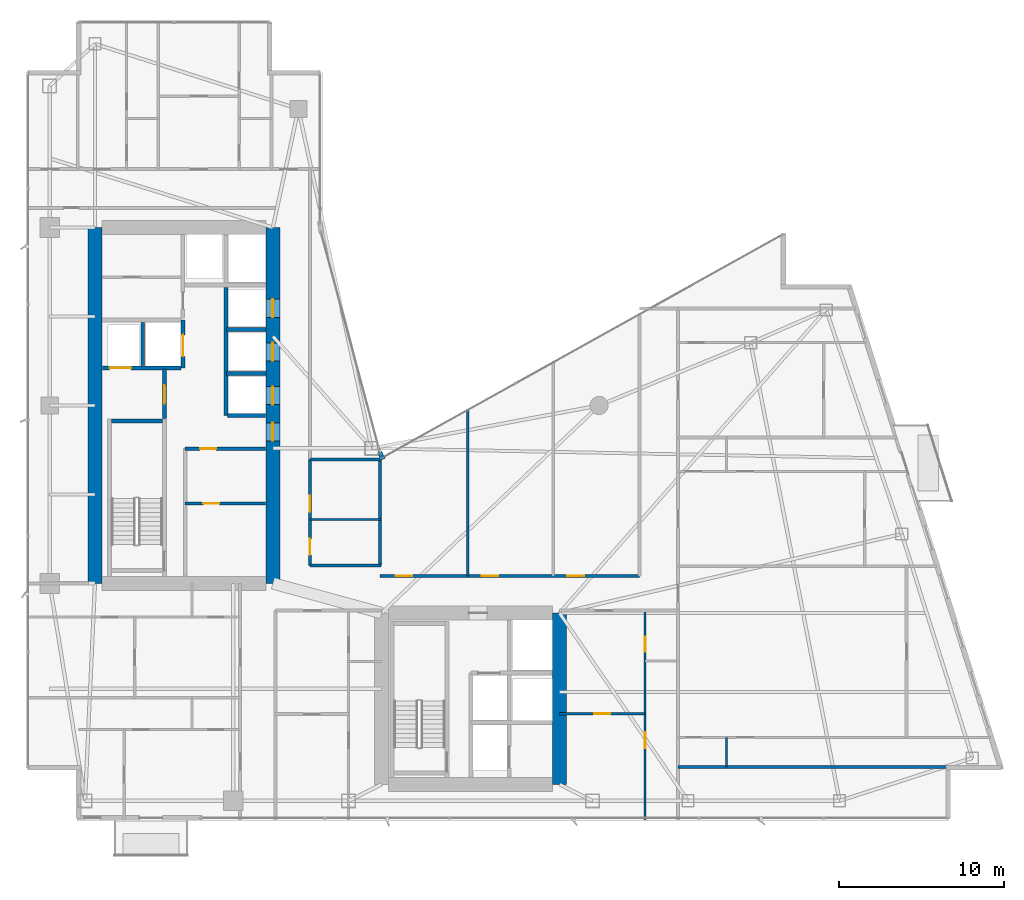
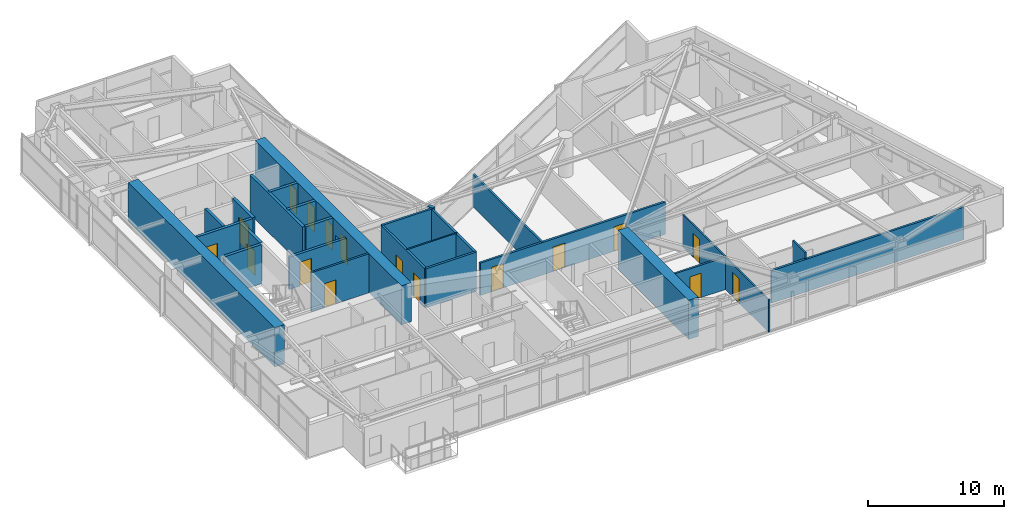
# One storey, part 23 of 28: 26 walls, 17 doors, 17 openings.
"""IFC4 building model written with IfcOpenShell, lengths in metres."""

from ifc_helpers import new_model, si_unit, direction, frame, frame_2d, origin, place, context, subcontext, project, spatial, rectangle, extrude, material, layer, layer_set, type_object, element, fill, save


model = new_model("IFC4")

# Units and contexts
model_context = context("Model", 3, precision=1e-05, world=origin(), true_north=direction((0.0, 1.0)))
body_context = subcontext(model_context, "Body", "Model", "MODEL_VIEW")
ifc_project = project(units=[si_unit("LENGTHUNIT", "METRE"), si_unit("AREAUNIT", "SQUARE_METRE"), si_unit("VOLUMEUNIT", "CUBIC_METRE"), si_unit("PLANEANGLEUNIT", "RADIAN"), si_unit("MASSUNIT", "GRAM", prefix="KILO")], contexts=[model_context])

# Site, building, storey
site_placement = place(None, origin())
site = spatial("IfcSite", under=ifc_project, at=site_placement, CompositionType="ELEMENT")
building_placement = place(site_placement, origin())
building = spatial("IfcBuilding", under=site, at=building_placement, Name="Calvorn Quay Hotel", CompositionType="ELEMENT")
storey_placement = place(building_placement, frame((0.0, 0.0, 182.699951171875)))
storey = spatial("IfcBuildingStorey", under=building, at=storey_placement, Name="L45", CompositionType="ELEMENT", Elevation=182.699951171875)

# Wall
ifc_material_1 = material(Name="Concrete C50", Category="concrete")
ifc_layer_1 = layer(ifc_material_1, 0.85009765625)
ifc_layer_set_1 = layer_set([ifc_layer_1], Name="WL-CORE-850")
wall_type_1 = type_object("IfcWallType", Name="WL-CORE-850", PredefinedType="SHEAR", material=ifc_layer_set_1)
wall_1_placement = place(storey_placement, frame((4.199951171875, 16.800048828125, 0.0), z_axis=(0.0, 0.0, 1.0), x_axis=(0.0, 1.0, 0.0)))
element("IfcWall", 1, at=wall_1_placement, inside=storey, type_object=wall_type_1, Name="West Core Shear Wall W (L45)", PredefinedType="SHEAR", context=body_context, shape_type="SweptSolid", body=[
    extrude(rectangle(XDim=21.599853515625, YDim=0.85009765625, at=frame_2d((10.7998046875, 0.0))), origin(), (0.0, 0.0, 1.0), 3.52001953125),
])

# Wall, openings, doors
wall_2_placement = place(storey_placement, frame((15.0, 16.800048828125, 0.0), z_axis=(0.0, 0.0, 1.0), x_axis=(0.0, 1.0, 0.0)))
wall_2 = element("IfcWall", 2, at=wall_2_placement, inside=storey, type_object=wall_type_1, Name="West Core Shear Wall E (L45)", PredefinedType="SHEAR", context=body_context, shape_type="SweptSolid", body=[
    extrude(rectangle(XDim=21.599853515625, YDim=0.85009765625, at=frame_2d((10.7998046875, 0.0))), origin(), (0.0, 0.0, 1.0), 3.52001953125),
])
opening_1_placement = place(wall_2_placement, frame((8.64990234375, 0.0, 0.0)))
opening_1 = element("IfcOpeningElement", 3, at=opening_1_placement, cuts=wall_2, Name="Opening D-L45-CW1", PredefinedType="OPENING", context=body_context, shape_type="SweptSolid", body=[
    extrude(rectangle(XDim=1.10009765625, YDim=2.199951171875, at=frame_2d((0.550048828125, 1.10009765625))), frame((0.0, 0.43505859375, 0.0), z_axis=(0.0, -1.0, 0.0), x_axis=(1.0, 0.0, 0.0)), (0.0, 0.0, 1.0), 0.8701171875),
])
opening_2_placement = place(wall_2_placement, frame((10.85009765625, 0.0, 0.0)))
opening_2 = element("IfcOpeningElement", 4, at=opening_2_placement, cuts=wall_2, Name="Opening LD-L45-M1", PredefinedType="OPENING", context=body_context, shape_type="SweptSolid", body=[
    extrude(rectangle(XDim=1.10009765625, YDim=2.199951171875, at=frame_2d((0.550048828125, 1.10009765625))), frame((0.0, 0.43505859375, 0.0), z_axis=(0.0, -1.0, 0.0), x_axis=(1.0, 0.0, 0.0)), (0.0, 0.0, 1.0), 0.8701171875),
])
opening_3_placement = place(wall_2_placement, frame((13.5, 0.0, 0.0)))
opening_3 = element("IfcOpeningElement", 5, at=opening_3_placement, cuts=wall_2, Name="Opening LD-L45-M2", PredefinedType="OPENING", context=body_context, shape_type="SweptSolid", body=[
    extrude(rectangle(XDim=1.10009765625, YDim=2.199951171875, at=frame_2d((0.550048828125, 1.10009765625))), frame((0.0, 0.43505859375, 0.0), z_axis=(0.0, -1.0, 0.0), x_axis=(1.0, 0.0, 0.0)), (0.0, 0.0, 1.0), 0.8701171875),
])
opening_4_placement = place(wall_2_placement, frame((16.14990234375, 0.0, 0.0)))
opening_4 = element("IfcOpeningElement", 6, at=opening_4_placement, cuts=wall_2, Name="Opening LD-L45-M3", PredefinedType="OPENING", context=body_context, shape_type="SweptSolid", body=[
    extrude(rectangle(XDim=1.10009765625, YDim=2.199951171875, at=frame_2d((0.550048828125, 1.10009765625))), frame((0.0, 0.43505859375, 0.0), z_axis=(0.0, -1.0, 0.0), x_axis=(1.0, 0.0, 0.0)), (0.0, 0.0, 1.0), 0.8701171875),
])
ifc_material_2 = material(Name="Smoke-Sealed Steel Class A Fire Door", Category="steel")
door_type_1 = type_object("IfcDoorType", Name="DR-FFLOBBY-1100", OperationType="NOTDEFINED", PredefinedType="DOOR", material=ifc_material_2)
door_1_placement = place(opening_1_placement, origin())
door_1 = element("IfcDoor", 7, at=door_1_placement, inside=storey, type_object=door_type_1, Name="West Core Vestibule Fire Door (L45)", OperationType="SINGLE_SWING_RIGHT", OverallHeight=2.199951171875, OverallWidth=1.10009765625, PredefinedType="DOOR", context=body_context, shape_type="SweptSolid", body=[
    extrude(rectangle(XDim=1.10009765625, YDim=2.199951171875, at=frame_2d((0.550048828125, 1.10009765625))), frame((0.0, 0.02490234375, 0.0), z_axis=(0.0, -1.0, 0.0), x_axis=(1.0, 0.0, 0.0)), (0.0, 0.0, 1.0), 0.050048828125),
])
fill(opening_1, door_1)
ifc_material_3 = material(Name="Brushed Stainless Steel Sliding Lift Landing Door", Category="steel")
door_type_2 = type_object("IfcDoorType", Name="DR-LIFT-PASS-1100", OperationType="NOTDEFINED", PredefinedType="DOOR", material=ifc_material_3)
door_2_placement = place(opening_2_placement, origin())
door_2 = element("IfcDoor", 8, at=door_2_placement, inside=storey, type_object=door_type_2, Name="Mid-Rise Lift PL-M1 Landing Door (L45)", OperationType="DOUBLE_DOOR_SLIDING", OverallHeight=2.199951171875, OverallWidth=1.10009765625, PredefinedType="DOOR", context=body_context, shape_type="SweptSolid", body=[
    extrude(rectangle(XDim=1.10009765625, YDim=2.199951171875, at=frame_2d((0.550048828125, 1.10009765625))), frame((0.0, 0.02490234375, 0.0), z_axis=(0.0, -1.0, 0.0), x_axis=(1.0, 0.0, 0.0)), (0.0, 0.0, 1.0), 0.050048828125),
])
fill(opening_2, door_2)
door_3_placement = place(opening_3_placement, origin())
door_3 = element("IfcDoor", 9, at=door_3_placement, inside=storey, type_object=door_type_2, Name="Mid-Rise Lift PL-M2 Landing Door (L45)", OperationType="DOUBLE_DOOR_SLIDING", OverallHeight=2.199951171875, OverallWidth=1.10009765625, PredefinedType="DOOR", context=body_context, shape_type="SweptSolid", body=[
    extrude(rectangle(XDim=1.10009765625, YDim=2.199951171875, at=frame_2d((0.550048828125, 1.10009765625))), frame((0.0, 0.02490234375, 0.0), z_axis=(0.0, -1.0, 0.0), x_axis=(1.0, 0.0, 0.0)), (0.0, 0.0, 1.0), 0.050048828125),
])
fill(opening_3, door_3)
door_4_placement = place(opening_4_placement, origin())
door_4 = element("IfcDoor", 10, at=door_4_placement, inside=storey, type_object=door_type_2, Name="Mid-Rise Lift PL-M3 Landing Door (L45)", OperationType="DOUBLE_DOOR_SLIDING", OverallHeight=2.199951171875, OverallWidth=1.10009765625, PredefinedType="DOOR", context=body_context, shape_type="SweptSolid", body=[
    extrude(rectangle(XDim=1.10009765625, YDim=2.199951171875, at=frame_2d((0.550048828125, 1.10009765625))), frame((0.0, 0.02490234375, 0.0), z_axis=(0.0, -1.0, 0.0), x_axis=(1.0, 0.0, 0.0)), (0.0, 0.0, 1.0), 0.050048828125),
])
fill(opening_4, door_4)

# Walls
wall_3_placement = place(storey_placement, frame((32.39990234375, 4.60009765625, 0.0), z_axis=(0.0, 0.0, 1.0), x_axis=(0.0, 1.0, 0.0)))
element("IfcWall", 11, at=wall_3_placement, inside=storey, type_object=wall_type_1, Name="East Core Shear Wall E (L45)", PredefinedType="SHEAR", context=body_context, shape_type="SweptSolid", body=[
    extrude(rectangle(XDim=10.39990234375, YDim=0.85009765625, at=frame_2d((5.199951171875, 0.0))), origin(), (0.0, 0.0, 1.0), 3.52001953125),
])
ifc_material_4 = material(Name="Acoustic Fireboard Steel-Stud Partition", Category="steel")
ifc_layer_2 = layer(ifc_material_4, 0.179931640625)
ifc_layer_set_2 = layer_set([ifc_layer_2], Name="WL-CORR-FIRE-180")
wall_type_2 = type_object("IfcWallType", Name="WL-CORR-FIRE-180", PredefinedType="PARTITIONING", material=ifc_layer_set_2)
wall_4_placement = place(storey_placement, frame((17.25, 17.8798828125, 0.0), z_axis=(0.0, 0.0, 1.0), x_axis=(1.0, 0.0, 0.0)))
element("IfcWall", 12, at=wall_4_placement, inside=storey, type_object=wall_type_2, Name="Partition Wall L45-WL-HK-S", PredefinedType="PARTITIONING", context=body_context, shape_type="SweptSolid", body=[
    extrude(rectangle(XDim=4.300048828125, YDim=0.179931640625, at=frame_2d((2.14990234375, 0.0))), origin(), (0.0, 0.0, 1.0), 3.52001953125),
])
wall_5_placement = place(storey_placement, frame((17.25, 24.320068359375, 0.0), z_axis=(0.0, 0.0, 1.0), x_axis=(1.0, 0.0, 0.0)))
element("IfcWall", 13, at=wall_5_placement, inside=storey, type_object=wall_type_2, Name="Partition Wall L45-WL-HK-N", PredefinedType="PARTITIONING", context=body_context, shape_type="SweptSolid", body=[
    extrude(rectangle(XDim=4.35009765625, YDim=0.179931640625, at=frame_2d((2.175048828125, 0.0))), origin(), (0.0, 0.0, 1.0), 3.52001953125),
])
wall_6_placement = place(storey_placement, frame((21.5, 17.8798828125, 0.0), z_axis=(0.0, 0.0, 1.0), x_axis=(0.0, 1.0, 0.0)))
element("IfcWall", 14, at=wall_6_placement, inside=storey, type_object=wall_type_2, Name="Partition Wall L45-WL-HK-E", PredefinedType="PARTITIONING", context=body_context, shape_type="SweptSolid", body=[
    extrude(rectangle(XDim=6.440185546875, YDim=0.179931640625, at=frame_2d((3.22021484375, 0.0))), origin(), (0.0, 0.0, 1.0), 3.52001953125),
])

# Wall, openings, doors
wall_7_placement = place(storey_placement, frame((17.25, 17.8798828125, 0.0), z_axis=(0.0, 0.0, 1.0), x_axis=(0.0, 1.0, 0.0)))
wall_7 = element("IfcWall", 15, at=wall_7_placement, inside=storey, type_object=wall_type_2, Name="Partition Wall L45-WL-HK-W", PredefinedType="PARTITIONING", context=body_context, shape_type="SweptSolid", body=[
    extrude(rectangle(XDim=6.440185546875, YDim=0.179931640625, at=frame_2d((3.22021484375, 0.0))), origin(), (0.0, 0.0, 1.0), 3.52001953125),
])
opening_5_placement = place(wall_7_placement, frame((0.64990234375, 0.0, 0.0)))
opening_5 = element("IfcOpeningElement", 16, at=opening_5_placement, cuts=wall_7, Name="Opening D-L45-HK", PredefinedType="OPENING", context=body_context, shape_type="SweptSolid", body=[
    extrude(rectangle(XDim=0.97998046875, YDim=2.14990234375, at=frame_2d((0.489990234375, 1.074951171875))), frame((0.0, 0.099853515625, 0.0), z_axis=(0.0, -1.0, 0.0), x_axis=(1.0, 0.0, 0.0)), (0.0, 0.0, 1.0), 0.199951171875),
])
opening_6_placement = place(wall_7_placement, frame((3.27001953125, 0.0, 0.0)))
opening_6 = element("IfcOpeningElement", 17, at=opening_6_placement, cuts=wall_7, Name="Opening D-L45-NCP", PredefinedType="OPENING", context=body_context, shape_type="SweptSolid", body=[
    extrude(rectangle(XDim=0.9599609375, YDim=2.199951171875, at=frame_2d((0.47998046875, 1.10009765625))), frame((0.0, 0.099853515625, 0.0), z_axis=(0.0, -1.0, 0.0), x_axis=(1.0, 0.0, 0.0)), (0.0, 0.0, 1.0), 0.199951171875),
])
ifc_material_5 = material(Name="Painted Steel Housekeeping/Riser Fire Door", Category="steel")
door_type_3 = type_object("IfcDoorType", Name="DR-SERVICE-980", OperationType="NOTDEFINED", PredefinedType="DOOR", material=ifc_material_5)
door_5_placement = place(opening_5_placement, origin())
door_5 = element("IfcDoor", 18, at=door_5_placement, inside=storey, type_object=door_type_3, Name="Floor Housekeeping Door (L45)", OperationType="SINGLE_SWING_LEFT", OverallHeight=2.14990234375, OverallWidth=0.97998046875, PredefinedType="DOOR", context=body_context, shape_type="SweptSolid", body=[
    extrude(rectangle(XDim=0.97998046875, YDim=2.14990234375, at=frame_2d((0.489990234375, 1.074951171875))), frame((0.0, 0.02490234375, 0.0), z_axis=(0.0, -1.0, 0.0), x_axis=(1.0, 0.0, 0.0)), (0.0, 0.0, 1.0), 0.050048828125),
])
fill(opening_5, door_5)
ifc_material_6 = material(Name="Solid Timber Internal Suite Door", Category="wood")
door_type_4 = type_object("IfcDoorType", Name="DR-SUITE-INT-960", OperationType="NOTDEFINED", PredefinedType="DOOR", material=ifc_material_6)
door_6_placement = place(opening_6_placement, origin())
door_6 = element("IfcDoor", 19, at=door_6_placement, inside=storey, type_object=door_type_4, Name="Reading Alcove Door (L45)", OperationType="SINGLE_SWING_RIGHT", OverallHeight=2.199951171875, OverallWidth=0.9599609375, PredefinedType="DOOR", context=body_context, shape_type="SweptSolid", body=[
    extrude(rectangle(XDim=0.9599609375, YDim=2.199951171875, at=frame_2d((0.47998046875, 1.10009765625))), frame((0.0, 0.02490234375, 0.0), z_axis=(0.0, -1.0, 0.0), x_axis=(1.0, 0.0, 0.0)), (0.0, 0.0, 1.0), 0.050048828125),
])
fill(opening_6, door_6)

wall_8_placement = place(storey_placement, frame((21.5, 17.25, 0.0), z_axis=(0.0, 0.0, 1.0), x_axis=(1.0, 0.0, 0.0)))
wall_8 = element("IfcWall", 20, at=wall_8_placement, inside=storey, type_object=wall_type_2, Name="Partition Wall L45-WL-CORR-NE-N", PredefinedType="PARTITIONING", context=body_context, shape_type="SweptSolid", body=[
    extrude(rectangle(XDim=15.75, YDim=0.179931640625, at=frame_2d((7.875, 0.0))), origin(), (0.0, 0.0, 1.0), 2.920166015625),
])
opening_7_placement = place(wall_8_placement, frame((0.949951171875, 0.0, 0.0)))
opening_7 = element("IfcOpeningElement", 21, at=opening_7_placement, cuts=wall_8, Name="Opening D-L45-NS1", PredefinedType="OPENING", context=body_context, shape_type="SweptSolid", body=[
    extrude(rectangle(XDim=1.02001953125, YDim=2.199951171875, at=frame_2d((0.510009765625, 1.10009765625))), frame((0.0, 0.099853515625, 0.0), z_axis=(0.0, -1.0, 0.0), x_axis=(1.0, 0.0, 0.0)), (0.0, 0.0, 1.0), 0.199951171875),
])
opening_8_placement = place(wall_8_placement, frame((6.169921875, 0.0, 0.0)))
opening_8 = element("IfcOpeningElement", 22, at=opening_8_placement, cuts=wall_8, Name="Opening D-L45-NS2", PredefinedType="OPENING", context=body_context, shape_type="SweptSolid", body=[
    extrude(rectangle(XDim=1.02001953125, YDim=2.199951171875, at=frame_2d((0.510009765625, 1.10009765625))), frame((0.0, 0.099853515625, 0.0), z_axis=(0.0, -1.0, 0.0), x_axis=(1.0, 0.0, 0.0)), (0.0, 0.0, 1.0), 0.199951171875),
])
opening_9_placement = place(wall_8_placement, frame((11.3798828125, 0.0, 0.0)))
opening_9 = element("IfcOpeningElement", 23, at=opening_9_placement, cuts=wall_8, Name="Opening D-L45-NS3", PredefinedType="OPENING", context=body_context, shape_type="SweptSolid", body=[
    extrude(rectangle(XDim=1.02001953125, YDim=2.199951171875, at=frame_2d((0.510009765625, 1.10009765625))), frame((0.0, 0.099853515625, 0.0), z_axis=(0.0, -1.0, 0.0), x_axis=(1.0, 0.0, 0.0)), (0.0, 0.0, 1.0), 0.199951171875),
])
ifc_material_7 = material(Name="Solid-Core Walnut Veneer Hotel Fire Door")
door_type_5 = type_object("IfcDoorType", Name="DR-GUEST-ENTRY-1020", OperationType="NOTDEFINED", PredefinedType="DOOR", material=ifc_material_7)
door_7_placement = place(opening_7_placement, origin())
door_7 = element("IfcDoor", 24, at=door_7_placement, inside=storey, type_object=door_type_5, Name="Conservatory Salon Door 1 (L45)", OperationType="SINGLE_SWING_RIGHT", OverallHeight=2.199951171875, OverallWidth=1.02001953125, PredefinedType="DOOR", context=body_context, shape_type="SweptSolid", body=[
    extrude(rectangle(XDim=1.02001953125, YDim=2.199951171875, at=frame_2d((0.510009765625, 1.10009765625))), frame((0.0, 0.02490234375, 0.0), z_axis=(0.0, -1.0, 0.0), x_axis=(1.0, 0.0, 0.0)), (0.0, 0.0, 1.0), 0.050048828125),
])
fill(opening_7, door_7)
door_8_placement = place(opening_8_placement, origin())
door_8 = element("IfcDoor", 25, at=door_8_placement, inside=storey, type_object=door_type_5, Name="Conservatory Salon Door 2 (L45)", OperationType="SINGLE_SWING_LEFT", OverallHeight=2.199951171875, OverallWidth=1.02001953125, PredefinedType="DOOR", context=body_context, shape_type="SweptSolid", body=[
    extrude(rectangle(XDim=1.02001953125, YDim=2.199951171875, at=frame_2d((0.510009765625, 1.10009765625))), frame((0.0, 0.02490234375, 0.0), z_axis=(0.0, -1.0, 0.0), x_axis=(1.0, 0.0, 0.0)), (0.0, 0.0, 1.0), 0.050048828125),
])
fill(opening_8, door_8)
door_9_placement = place(opening_9_placement, origin())
door_9 = element("IfcDoor", 26, at=door_9_placement, inside=storey, type_object=door_type_5, Name="Conservatory Salon Door 3 (L45)", OperationType="SINGLE_SWING_RIGHT", OverallHeight=2.199951171875, OverallWidth=1.02001953125, PredefinedType="DOOR", context=body_context, shape_type="SweptSolid", body=[
    extrude(rectangle(XDim=1.02001953125, YDim=2.199951171875, at=frame_2d((0.510009765625, 1.10009765625))), frame((0.0, 0.02490234375, 0.0), z_axis=(0.0, -1.0, 0.0), x_axis=(1.0, 0.0, 0.0)), (0.0, 0.0, 1.0), 0.050048828125),
])
fill(opening_9, door_9)

# Walls
wall_9_placement = place(storey_placement, frame((39.60009765625, 5.659912109375, 0.0), z_axis=(0.0, 0.0, 1.0), x_axis=(1.0, 0.0, 0.0)))
element("IfcWall", 27, at=wall_9_placement, inside=storey, type_object=wall_type_2, Name="Partition Wall L45-WL-TIP-S", PredefinedType="PARTITIONING", context=body_context, shape_type="SweptSolid", body=[
    extrude(rectangle(XDim=16.39990234375, YDim=0.179931640625, at=frame_2d((8.199951171875, 0.0))), origin(), (0.0, 0.0, 1.0), 2.920166015625),
])
ifc_material_8 = material(Name="Moisture-Resistant Tile-Backed Partition")
ifc_layer_3 = layer(ifc_material_8, 0.125)
ifc_layer_set_3 = layer_set([ifc_layer_3], Name="WL-ENSUITE-125")
wall_type_3 = type_object("IfcWallType", Name="WL-ENSUITE-125", PredefinedType="PARTITIONING", material=ifc_layer_set_3)
wall_10_placement = place(storey_placement, frame((17.25, 20.679931640625, 0.0), z_axis=(0.0, 0.0, 1.0), x_axis=(1.0, 0.0, 0.0)))
element("IfcWall", 28, at=wall_10_placement, inside=storey, type_object=wall_type_3, Name="Partition Wall L45-WL-HK-M", PredefinedType="PARTITIONING", context=body_context, shape_type="SweptSolid", body=[
    extrude(rectangle(XDim=4.300048828125, YDim=0.125, at=frame_2d((2.14990234375, 0.0))), origin(), (0.0, 0.0, 1.0), 3.52001953125),
])

# Wall, openings, doors
wall_11_placement = place(storey_placement, frame((37.60009765625, 2.43994140625, 0.0), z_axis=(0.0, 0.0, 1.0), x_axis=(0.0, 1.0, 0.0)))
wall_11 = element("IfcWall", 29, at=wall_11_placement, inside=storey, type_object=wall_type_3, Name="Partition Wall L45-WL-U06-BV", PredefinedType="PARTITIONING", context=body_context, shape_type="SweptSolid", body=[
    extrude(rectangle(XDim=12.7099609375, YDim=0.125, at=frame_2d((6.35498046875, 0.0))), origin(), (0.0, 0.0, 1.0), 2.920166015625),
])
opening_10_placement = place(wall_11_placement, frame((4.35009765625, 0.0, 0.0)))
opening_10 = element("IfcOpeningElement", 30, at=opening_10_placement, cuts=wall_11, Name="Opening D-L45-S06", PredefinedType="OPENING", context=body_context, shape_type="SweptSolid", body=[
    extrude(rectangle(XDim=0.9599609375, YDim=2.199951171875, at=frame_2d((0.47998046875, 1.10009765625))), frame((0.0, 0.072509765625, 0.0), z_axis=(0.0, -1.0, 0.0), x_axis=(1.0, 0.0, 0.0)), (0.0, 0.0, 1.0), 0.14501953125),
])
opening_11_placement = place(wall_11_placement, frame((10.2099609375, 0.0, 0.0)))
opening_11 = element("IfcOpeningElement", 31, at=opening_11_placement, cuts=wall_11, Name="Opening D-L45-E06", PredefinedType="OPENING", context=body_context, shape_type="SweptSolid", body=[
    extrude(rectangle(XDim=0.89990234375, YDim=2.14990234375, at=frame_2d((0.449951171875, 1.074951171875))), frame((0.0, 0.072509765625, 0.0), z_axis=(0.0, -1.0, 0.0), x_axis=(1.0, 0.0, 0.0)), (0.0, 0.0, 1.0), 0.14501953125),
])
ifc_material_9 = material(Name="Moisture-Sealed Timber En-Suite Door", Category="wood")
door_type_6 = type_object("IfcDoorType", Name="DR-ENSUITE-900", OperationType="NOTDEFINED", PredefinedType="DOOR", material=ifc_material_9)
door_10_placement = place(opening_11_placement, origin())
door_10 = element("IfcDoor", 32, at=door_10_placement, inside=storey, type_object=door_type_6, Name="En-Suite Door 06", OperationType="SINGLE_SWING_RIGHT", OverallHeight=2.14990234375, OverallWidth=0.89990234375, PredefinedType="DOOR", context=body_context, shape_type="SweptSolid", body=[
    extrude(rectangle(XDim=0.89990234375, YDim=2.14990234375, at=frame_2d((0.449951171875, 1.074951171875))), frame((0.0, 0.02490234375, 0.0), z_axis=(0.0, -1.0, 0.0), x_axis=(1.0, 0.0, 0.0)), (0.0, 0.0, 1.0), 0.050048828125),
])
fill(opening_11, door_10)
door_11_placement = place(opening_10_placement, origin())
door_11 = element("IfcDoor", 33, at=door_11_placement, inside=storey, type_object=door_type_4, Name="Children Play Nursery Door 06", OperationType="SINGLE_SWING_LEFT", OverallHeight=2.199951171875, OverallWidth=0.9599609375, PredefinedType="DOOR", context=body_context, shape_type="SweptSolid", body=[
    extrude(rectangle(XDim=0.9599609375, YDim=2.199951171875, at=frame_2d((0.47998046875, 1.10009765625))), frame((0.0, 0.02490234375, 0.0), z_axis=(0.0, -1.0, 0.0), x_axis=(1.0, 0.0, 0.0)), (0.0, 0.0, 1.0), 0.050048828125),
])
fill(opening_10, door_11)

# Walls
wall_12_placement = place(storey_placement, frame((42.550048828125, 5.659912109375, 0.0), z_axis=(0.0, 0.0, 1.0), x_axis=(0.0, 1.0, 0.0)))
element("IfcWall", 34, at=wall_12_placement, inside=storey, type_object=wall_type_3, Name="Partition Wall L45-WL-U07-BDV", PredefinedType="PARTITIONING", context=body_context, shape_type="SweptSolid", body=[
    extrude(rectangle(XDim=1.7900390625, YDim=0.125, at=frame_2d((0.89501953125, 0.0))), origin(), (0.0, 0.0, 1.0), 3.52001953125),
])
ifc_material_10 = material(Name="Concrete C40", Category="concrete")
ifc_layer_4 = layer(ifc_material_10, 0.320068359375)
ifc_layer_set_4 = layer_set([ifc_layer_4], Name="WL-EXT-SPANDREL-320")
wall_type_4 = type_object("IfcWallType", Name="WL-EXT-SPANDREL-320", PredefinedType="SOLIDWALL", material=ifc_layer_set_4)
wall_13_placement = place(storey_placement, frame((21.679931640625, 24.340087890625, 0.0), z_axis=(0.0, 0.0, 1.0), x_axis=(-0.40758134973, 0.913168901875, 0.0)))
element("IfcWall", 35, at=wall_13_placement, inside=storey, type_object=wall_type_4, Name="Inner Court Corner Pier L45-ICJ1", PredefinedType="SOLIDWALL", context=body_context, shape_type="SweptSolid", body=[
    extrude(rectangle(XDim=0.470703125, YDim=0.280029296875, at=frame_2d((0.2353515625, 0.0))), origin(), (0.0, 0.0, 1.0), 3.52001953125),
])

# Wall, opening, door
ifc_material_11 = material(Name="Double-Stud Acoustic Gypsum Partition")
ifc_layer_5 = layer(ifc_material_11, 0.159912109375)
ifc_layer_set_5 = layer_set([ifc_layer_5], Name="WL-INTERSUITE-160")
wall_type_5 = type_object("IfcWallType", Name="WL-INTERSUITE-160", PredefinedType="PARTITIONING", material=ifc_layer_set_5)
wall_14_placement = place(storey_placement, frame((9.679931640625, 21.64990234375, 0.0), z_axis=(0.0, 0.0, 1.0), x_axis=(1.0, 0.0, 0.0)))
wall_14 = element("IfcWall", 36, at=wall_14_placement, inside=storey, type_object=wall_type_5, Name="Partition Wall L45-WL-CWW-FR-SPLIT", PredefinedType="PARTITIONING", context=body_context, shape_type="SweptSolid", body=[
    extrude(rectangle(XDim=4.875, YDim=0.159912109375, at=frame_2d((2.4375, 0.0))), origin(), (0.0, 0.0, 1.0), 3.52001953125),
])
opening_12_placement = place(wall_14_placement, frame((1.10009765625, 0.0, 0.0)))
opening_12 = element("IfcOpeningElement", 37, at=opening_12_placement, cuts=wall_14, Name="Opening D-L45-FRL1", PredefinedType="OPENING", context=body_context, shape_type="SweptSolid", body=[
    extrude(rectangle(XDim=0.97998046875, YDim=2.14990234375, at=frame_2d((0.489990234375, 1.074951171875))), frame((0.0, 0.08984375, 0.0), z_axis=(0.0, -1.0, 0.0), x_axis=(1.0, 0.0, 0.0)), (0.0, 0.0, 1.0), 0.179931640625),
])
door_12_placement = place(opening_12_placement, origin())
door_12 = element("IfcDoor", 38, at=door_12_placement, inside=storey, type_object=door_type_3, Name="Linen Store Room Door (L45)", OperationType="SINGLE_SWING_LEFT", OverallHeight=2.14990234375, OverallWidth=0.97998046875, PredefinedType="DOOR", context=body_context, shape_type="SweptSolid", body=[
    extrude(rectangle(XDim=0.97998046875, YDim=2.14990234375, at=frame_2d((0.489990234375, 1.074951171875))), frame((0.0, 0.02490234375, 0.0), z_axis=(0.0, -1.0, 0.0), x_axis=(1.0, 0.0, 0.0)), (0.0, 0.0, 1.0), 0.050048828125),
])
fill(opening_12, door_12)

wall_15_placement = place(storey_placement, frame((32.39990234375, 8.8798828125, 0.0), z_axis=(0.0, 0.0, 1.0), x_axis=(1.0, 0.0, 0.0)))
wall_15 = element("IfcWall", 39, at=wall_15_placement, inside=storey, type_object=wall_type_5, Name="Partition Wall L45-WL-U06-MSP", PredefinedType="PARTITIONING", context=body_context, shape_type="SweptSolid", body=[
    extrude(rectangle(XDim=5.2001953125, YDim=0.159912109375, at=frame_2d((2.60009765625, 0.0))), origin(), (0.0, 0.0, 1.0), 2.920166015625),
])
opening_13_placement = place(wall_15_placement, frame((2.1201171875, 0.0, 0.0)))
opening_13 = element("IfcOpeningElement", 40, at=opening_13_placement, cuts=wall_15, Name="Opening D-L45-M06", PredefinedType="OPENING", context=body_context, shape_type="SweptSolid", body=[
    extrude(rectangle(XDim=0.9599609375, YDim=2.199951171875, at=frame_2d((0.47998046875, 1.10009765625))), frame((0.0, 0.08984375, 0.0), z_axis=(0.0, -1.0, 0.0), x_axis=(1.0, 0.0, 0.0)), (0.0, 0.0, 1.0), 0.179931640625),
])
door_13_placement = place(opening_13_placement, origin())
door_13 = element("IfcDoor", 41, at=door_13_placement, inside=storey, type_object=door_type_4, Name="Suite Bedroom Door 06", OperationType="SINGLE_SWING_LEFT", OverallHeight=2.199951171875, OverallWidth=0.9599609375, PredefinedType="DOOR", context=body_context, shape_type="SweptSolid", body=[
    extrude(rectangle(XDim=0.9599609375, YDim=2.199951171875, at=frame_2d((0.47998046875, 1.10009765625))), frame((0.0, 0.02490234375, 0.0), z_axis=(0.0, -1.0, 0.0), x_axis=(1.0, 0.0, 0.0)), (0.0, 0.0, 1.0), 0.050048828125),
])
fill(opening_13, door_13)

# Wall
wall_16_placement = place(storey_placement, frame((26.820068359375, 17.25, 0.0), z_axis=(0.0, 0.0, 1.0), x_axis=(0.0, 1.0, 0.0)))
element("IfcWall", 42, at=wall_16_placement, inside=storey, type_object=wall_type_5, Name="Partition Wall L45-WL-NE-DIV-1", PredefinedType="PARTITIONING", context=body_context, shape_type="SweptSolid", body=[
    extrude(rectangle(XDim=10.139892578125, YDim=0.159912109375, at=frame_2d((5.06982421875, 0.0))), origin(), (0.0, 0.0, 1.0), 2.920166015625),
])

# Wall, opening, door
ifc_material_12 = material(Name="Autoclaved Aerated Masonry Block", Category="masonry")
ifc_layer_6 = layer(ifc_material_12, 0.219970703125)
ifc_layer_set_6 = layer_set([ifc_layer_6], Name="WL-LOBBY-FIRE-220")
wall_type_6 = type_object("IfcWallType", Name="WL-LOBBY-FIRE-220", PredefinedType="SOLIDWALL", material=ifc_layer_set_6)
wall_17_placement = place(storey_placement, frame((9.679931640625, 24.969970703125, 0.0), z_axis=(0.0, 0.0, 1.0), x_axis=(1.0, 0.0, 0.0)))
wall_17 = element("IfcWall", 43, at=wall_17_placement, inside=storey, type_object=wall_type_6, Name="Partition Wall L45-WL-CWW-FR-N", PredefinedType="SOLIDWALL", context=body_context, shape_type="SweptSolid", body=[
    extrude(rectangle(XDim=4.875, YDim=0.219970703125, at=frame_2d((2.4375, 0.0))), origin(), (0.0, 0.0, 1.0), 2.920166015625),
])
opening_14_placement = place(wall_17_placement, frame((0.89990234375, 0.0, 0.0)))
opening_14 = element("IfcOpeningElement", 44, at=opening_14_placement, cuts=wall_17, Name="Opening D-L45-FRL2", PredefinedType="OPENING", context=body_context, shape_type="SweptSolid", body=[
    extrude(rectangle(XDim=0.97998046875, YDim=2.14990234375, at=frame_2d((0.489990234375, 1.074951171875))), frame((0.0, 0.119873046875, 0.0), z_axis=(0.0, -1.0, 0.0), x_axis=(1.0, 0.0, 0.0)), (0.0, 0.0, 1.0), 0.239990234375),
])
door_14_placement = place(opening_14_placement, origin())
door_14 = element("IfcDoor", 45, at=door_14_placement, inside=storey, type_object=door_type_3, Name="Beverage Pantry Door (L45)", OperationType="SINGLE_SWING_RIGHT", OverallHeight=2.14990234375, OverallWidth=0.97998046875, PredefinedType="DOOR", context=body_context, shape_type="SweptSolid", body=[
    extrude(rectangle(XDim=0.97998046875, YDim=2.14990234375, at=frame_2d((0.489990234375, 1.074951171875))), frame((0.0, 0.02490234375, 0.0), z_axis=(0.0, -1.0, 0.0), x_axis=(1.0, 0.0, 0.0)), (0.0, 0.0, 1.0), 0.050048828125),
])
fill(opening_14, door_14)

# Walls
ifc_material_13 = material(Name="Concrete C40", Category="concrete")
ifc_layer_7 = layer(ifc_material_13, 0.239990234375)
ifc_layer_set_7 = layer_set([ifc_layer_7], Name="WL-SHAFT-240")
wall_type_7 = type_object("IfcWallType", Name="WL-SHAFT-240", PredefinedType="SOLIDWALL", material=ifc_layer_set_7)
wall_18_placement = place(storey_placement, frame((5.199951171875, 26.669921875, 0.0), z_axis=(0.0, 0.0, 1.0), x_axis=(1.0, 0.0, 0.0)))
element("IfcWall", 46, at=wall_18_placement, inside=storey, type_object=wall_type_7, Name="Stair STW Shaft Wall N (L45)", PredefinedType="SOLIDWALL", context=body_context, shape_type="SweptSolid", body=[
    extrude(rectangle(XDim=3.10009765625, YDim=0.239990234375, at=frame_2d((1.550048828125, 0.0))), origin(), (0.0, 0.0, 1.0), 3.52001953125),
])
for number, where, z_axis, x_axis, name in (
    (47, (12.179931640625, 29.550048828125, 0.0), (0.0, 0.0, 1.0), (1.0, 0.0, 0.0), "Lift Hoistway Divider Wall PLM12 (L45)"),
    (48, (12.179931640625, 32.199951171875, 0.0), (0.0, 0.0, 1.0), (1.0, 0.0, 0.0), "Lift Hoistway Divider Wall PLM23 (L45)"),
):
    element("IfcWall", number, at=place(storey_placement, frame(where, z_axis=z_axis, x_axis=x_axis)), inside=storey, type_object=wall_type_7, Name=name, PredefinedType="SOLIDWALL", context=body_context, shape_type="SweptSolid", body=[
        extrude(rectangle(XDim=2.39501953125, YDim=0.239990234375, at=frame_2d((1.197509765625, 0.0))), origin(), (0.0, 0.0, 1.0), 3.52001953125),
    ])

# Wall, opening, door
wall_19_placement = place(storey_placement, frame((8.419921875, 26.820068359375, 0.0), z_axis=(0.0, 0.0, 1.0), x_axis=(0.0, 1.0, 0.0)))
wall_19 = element("IfcWall", 49, at=wall_19_placement, inside=storey, type_object=wall_type_7, Name="Partition Wall L45-WL-CWW-FFL-E", PredefinedType="SOLIDWALL", context=body_context, shape_type="SweptSolid", body=[
    extrude(rectangle(XDim=3.0, YDim=0.239990234375, at=frame_2d((1.5, 0.0))), origin(), (0.0, 0.0, 1.0), 3.52001953125),
])
opening_15_placement = place(wall_19_placement, frame((0.89990234375, 0.0, 0.0)))
opening_15 = element("IfcOpeningElement", 50, at=opening_15_placement, cuts=wall_19, Name="Opening D-L45-FLW", PredefinedType="OPENING", context=body_context, shape_type="SweptSolid", body=[
    extrude(rectangle(XDim=1.10009765625, YDim=2.199951171875, at=frame_2d((0.550048828125, 1.10009765625))), frame((0.0, 0.1298828125, 0.0), z_axis=(0.0, -1.0, 0.0), x_axis=(1.0, 0.0, 0.0)), (0.0, 0.0, 1.0), 0.260009765625),
])
door_15_placement = place(opening_15_placement, origin())
door_15 = element("IfcDoor", 51, at=door_15_placement, inside=storey, type_object=door_type_1, Name="West Firefighting Lobby Fire Door (L45)", OperationType="SINGLE_SWING_RIGHT", OverallHeight=2.199951171875, OverallWidth=1.10009765625, PredefinedType="DOOR", context=body_context, shape_type="SweptSolid", body=[
    extrude(rectangle(XDim=1.10009765625, YDim=2.199951171875, at=frame_2d((0.550048828125, 1.10009765625))), frame((0.0, 0.02490234375, 0.0), z_axis=(0.0, -1.0, 0.0), x_axis=(1.0, 0.0, 0.0)), (0.0, 0.0, 1.0), 0.050048828125),
])
fill(opening_15, door_15)

wall_20_placement = place(storey_placement, frame((4.64501953125, 29.8798828125, 0.0), z_axis=(0.0, 0.0, 1.0), x_axis=(1.0, 0.0, 0.0)))
wall_20 = element("IfcWall", 52, at=wall_20_placement, inside=storey, type_object=wall_type_7, Name="Partition Wall L45-WL-CWW-FLW-S", PredefinedType="SOLIDWALL", context=body_context, shape_type="SweptSolid", body=[
    extrude(rectangle(XDim=4.77490234375, YDim=0.239990234375, at=frame_2d((2.387451171875, 0.0))), origin(), (0.0, 0.0, 1.0), 3.52001953125),
])
opening_16_placement = place(wall_20_placement, frame((0.449951171875, 0.0, 0.0)))
opening_16 = element("IfcOpeningElement", 53, at=opening_16_placement, cuts=wall_20, Name="Opening LD-L45-FLW1", PredefinedType="OPENING", context=body_context, shape_type="SweptSolid", body=[
    extrude(rectangle(XDim=1.300048828125, YDim=2.35009765625, at=frame_2d((0.64990234375, 1.175048828125))), frame((0.0, 0.1298828125, 0.0), z_axis=(0.0, -1.0, 0.0), x_axis=(1.0, 0.0, 0.0)), (0.0, 0.0, 1.0), 0.260009765625),
])
ifc_material_14 = material(Name="Champagne-Bronze Sliding Express Lift Landing Door")
door_type_7 = type_object("IfcDoorType", Name="DR-LIFT-SHUTTLE-1300", OperationType="NOTDEFINED", PredefinedType="DOOR", material=ifc_material_14)
door_16_placement = place(opening_16_placement, origin())
door_16 = element("IfcDoor", 54, at=door_16_placement, inside=storey, type_object=door_type_7, Name="Firefighting Lift FL-W1 Landing Door (L45)", OperationType="DOUBLE_DOOR_SLIDING", OverallHeight=2.35009765625, OverallWidth=1.300048828125, PredefinedType="DOOR", context=body_context, shape_type="SweptSolid", body=[
    extrude(rectangle(XDim=1.300048828125, YDim=2.35009765625, at=frame_2d((0.64990234375, 1.175048828125))), frame((0.0, 0.02490234375, 0.0), z_axis=(0.0, -1.0, 0.0), x_axis=(1.0, 0.0, 0.0)), (0.0, 0.0, 1.0), 0.050048828125),
])
fill(opening_16, door_16)

# Wall
wall_21_placement = place(storey_placement, frame((7.10009765625, 30.02001953125, 0.0), z_axis=(0.0, 0.0, 1.0), x_axis=(0.0, 1.0, 0.0)))
element("IfcWall", 55, at=wall_21_placement, inside=storey, type_object=wall_type_7, Name="Partition Wall L45-WL-CWW-FLW-DIV", PredefinedType="SOLIDWALL", context=body_context, shape_type="SweptSolid", body=[
    extrude(rectangle(XDim=2.6298828125, YDim=0.239990234375, at=frame_2d((1.31494140625, 0.0))), origin(), (0.0, 0.0, 1.0), 3.52001953125),
])

# Wall, opening, door
wall_22_placement = place(storey_placement, frame((9.5400390625, 29.8798828125, 0.0), z_axis=(0.0, 0.0, 1.0), x_axis=(0.0, 1.0, 0.0)))
wall_22 = element("IfcWall", 56, at=wall_22_placement, inside=storey, type_object=wall_type_7, Name="Partition Wall L45-WL-CWW-SLW-E", PredefinedType="SOLIDWALL", context=body_context, shape_type="SweptSolid", body=[
    extrude(rectangle(XDim=2.900146484375, YDim=0.239990234375, at=frame_2d((1.4501953125, 0.0))), origin(), (0.0, 0.0, 1.0), 3.52001953125),
])
opening_17_placement = place(wall_22_placement, frame((0.699951171875, 0.0, 0.0)))
opening_17 = element("IfcOpeningElement", 57, at=opening_17_placement, cuts=wall_22, Name="Opening LD-L45-SLW1", PredefinedType="OPENING", context=body_context, shape_type="SweptSolid", body=[
    extrude(rectangle(XDim=1.300048828125, YDim=2.35009765625, at=frame_2d((0.64990234375, 1.175048828125))), frame((0.0, 0.1298828125, 0.0), z_axis=(0.0, -1.0, 0.0), x_axis=(1.0, 0.0, 0.0)), (0.0, 0.0, 1.0), 0.260009765625),
])
door_17_placement = place(opening_17_placement, origin())
door_17 = element("IfcDoor", 58, at=door_17_placement, inside=storey, type_object=door_type_7, Name="Service Lift SL-W1 Landing Door (L45)", OperationType="DOUBLE_DOOR_SLIDING", OverallHeight=2.35009765625, OverallWidth=1.300048828125, PredefinedType="DOOR", context=body_context, shape_type="SweptSolid", body=[
    extrude(rectangle(XDim=1.300048828125, YDim=2.35009765625, at=frame_2d((0.64990234375, 1.175048828125))), frame((0.0, 0.02490234375, 0.0), z_axis=(0.0, -1.0, 0.0), x_axis=(1.0, 0.0, 0.0)), (0.0, 0.0, 1.0), 0.050048828125),
])
fill(opening_17, door_17)

# Walls
wall_23_placement = place(storey_placement, frame((12.25, 27.0, 0.0), z_axis=(0.0, 0.0, 1.0), x_axis=(1.0, 0.0, 0.0)))
element("IfcWall", 59, at=wall_23_placement, inside=storey, type_object=wall_type_7, Name="Partition Wall L45-WL-CWW-PLM-S", PredefinedType="SOLIDWALL", context=body_context, shape_type="SweptSolid", body=[
    extrude(rectangle(XDim=2.304931640625, YDim=0.239990234375, at=frame_2d((1.15234375, 0.0))), origin(), (0.0, 0.0, 1.0), 3.52001953125),
])
wall_24_placement = place(storey_placement, frame((12.14990234375, 27.0, 0.0), z_axis=(0.0, 0.0, 1.0), x_axis=(0.0, 1.0, 0.0)))
element("IfcWall", 60, at=wall_24_placement, inside=storey, type_object=wall_type_7, Name="Partition Wall L45-WL-CWW-PLM-W", PredefinedType="SOLIDWALL", context=body_context, shape_type="SweptSolid", body=[
    extrude(rectangle(XDim=7.75, YDim=0.239990234375, at=frame_2d((3.875, 0.0))), origin(), (0.0, 0.0, 1.0), 3.52001953125),
])

save(model, "model.ifc")
